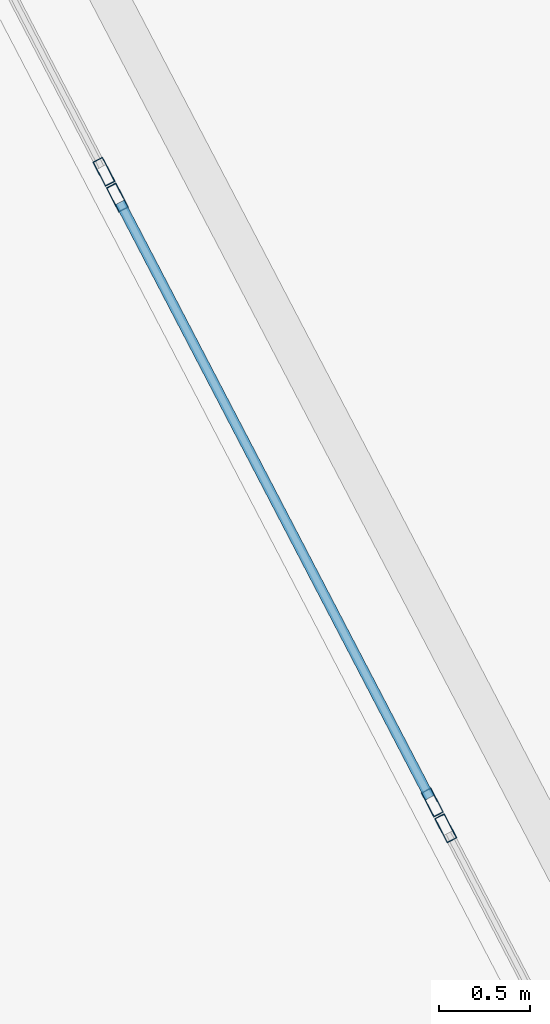
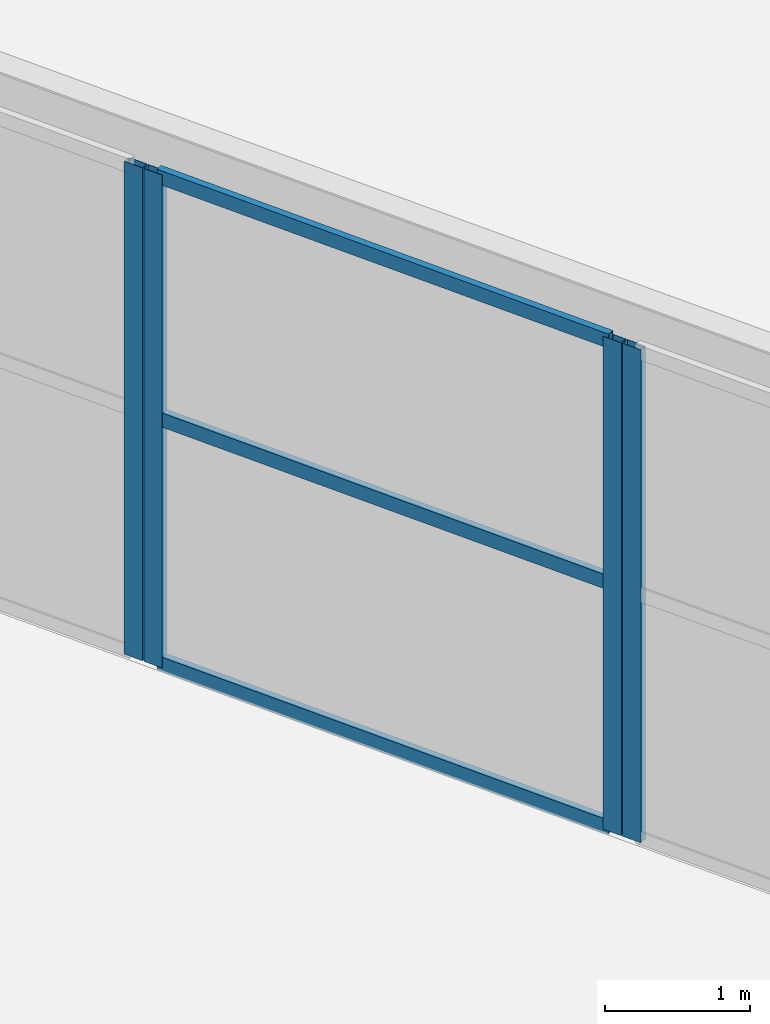
# One storey, part 25 of 126: 7 members, 3 elements without a shape of their own.
"""IFC4 building model written with IfcOpenShell, lengths in metres."""

from ifc_helpers import new_model, si_unit, direction, frame, origin, origin_2d, place, context, subcontext, project, spatial, hollow_rectangle, extrude, material, layer, layer_set, material_profile, profile_set, type_object, element, aggregate, save


model = new_model("IFC4")

# Units and contexts
model_context = context("Model", 3, precision=1e-05, world=origin(), true_north=direction((0.0, 1.0)))
body_context = subcontext(model_context, "Body", "Model", "MODEL_VIEW")
ifc_project = project(units=[si_unit("LENGTHUNIT", "METRE"), si_unit("AREAUNIT", "SQUARE_METRE"), si_unit("VOLUMEUNIT", "CUBIC_METRE"), si_unit("PLANEANGLEUNIT", "RADIAN"), si_unit("MASSUNIT", "GRAM", prefix="KILO")], contexts=[model_context])

# Site, building, storey
site_placement = place(None, origin())
site = spatial("IfcSite", under=ifc_project, at=site_placement, CompositionType="ELEMENT")
building_placement = place(site_placement, origin())
building = spatial("IfcBuilding", under=site, at=building_placement, Name="Kalgoora Escarpment Arena", CompositionType="ELEMENT")
storey_placement = place(building_placement, frame((0.0, 0.0, 18.89990234375)))
storey = spatial("IfcBuildingStorey", under=building, at=storey_placement, Name="L04", CompositionType="ELEMENT", Elevation=18.89990234375)

# Curtain wall, member
ifc_material_1 = material(Name=" Champagne anodised aluminium & double-glazed low-E", Category="aluminium")
ifc_layer_1 = layer(ifc_material_1, 0.154052734375)
ifc_layer_set_1 = layer_set([ifc_layer_1], Name="CW-UNIT-11")
curtain_wall_type_1 = type_object("IfcCurtainWallType", Name="CW-UNIT-11", PredefinedType="NOTDEFINED", material=ifc_layer_set_1)
curtain_wall_1_placement = place(storey_placement, origin())
curtain_wall_1 = element("IfcCurtainWall", 1, at=curtain_wall_1_placement, inside=storey, type_object=curtain_wall_type_1, Name="L04 unitised facade curtain wall 130", PredefinedType="NOTDEFINED")
ifc_material_2 = material(Name="Anodised aluminium 6063-T6", Category="aluminium")
ifc_material_profile_1 = material_profile(ifc_material_2, hollow_rectangle(XDim=0.06005859375, YDim=0.14990234375, WallThickness=0.00341796875, at=origin_2d()))
ifc_profile_set_1 = profile_set([ifc_material_profile_1], Name="Anodised aluminium 6063-T6")
member_type_1 = type_object("IfcMemberType", Name="MEM-CW-MULL-150", PredefinedType="MULLION", material=ifc_profile_set_1)
member_1_placement = place(storey_placement, frame((28.034912109375, 38.657470703125, 0.02001953125), z_axis=(0.0, 0.0, 1.0), x_axis=(-0.886986276427, -0.461795783252, 0.0)))
member_1 = element("IfcMember", 2, at=member_1_placement, type_object=member_type_1, Name="CW-11 mullion 2", PredefinedType="MULLION", context=body_context, shape_type="SweptSolid", body=[
    extrude(hollow_rectangle(XDim=0.06005859375, YDim=0.14990234375, WallThickness=0.00341796875, at=origin_2d()), origin(), (0.0, 0.0, 1.0), 4.150146484375),
])
aggregate(curtain_wall_1, [member_1])

# Curtain wall, members
ifc_material_3 = material(Name=" Champagne anodised aluminium & double-glazed low-E", Category="aluminium")
ifc_layer_2 = layer(ifc_material_3, 0.157958984375)
ifc_layer_set_2 = layer_set([ifc_layer_2], Name="CW-UNIT-12")
curtain_wall_type_2 = type_object("IfcCurtainWallType", Name="CW-UNIT-12", PredefinedType="NOTDEFINED", material=ifc_layer_set_2)
curtain_wall_2_placement = place(storey_placement, origin())
curtain_wall_2 = element("IfcCurtainWall", 3, at=curtain_wall_2_placement, inside=storey, type_object=curtain_wall_type_2, Name="L04 unitised facade curtain wall 131", PredefinedType="NOTDEFINED")
member_2_placement = place(storey_placement, frame((27.9609375, 38.79931640625, 0.02001953125), z_axis=(0.0, 0.0, 1.0), x_axis=(-0.886984539651, -0.46179911912, 0.0)))
member_2 = element("IfcMember", 4, at=member_2_placement, type_object=member_type_1, Name="CW-12 mullion 1", PredefinedType="MULLION", context=body_context, shape_type="SweptSolid", body=[
    extrude(hollow_rectangle(XDim=0.06005859375, YDim=0.14990234375, WallThickness=0.00341796875, at=origin_2d()), origin(), (0.0, 0.0, 1.0), 4.150146484375),
])
member_3_placement = place(storey_placement, frame((26.226806640625, 42.13037109375, 0.02001953125), z_axis=(0.0, 0.0, 1.0), x_axis=(-0.886984539651, -0.46179911912, 0.0)))
member_3 = element("IfcMember", 5, at=member_3_placement, type_object=member_type_1, Name="CW-12 mullion 2", PredefinedType="MULLION", context=body_context, shape_type="SweptSolid", body=[
    extrude(hollow_rectangle(XDim=0.06005859375, YDim=0.14990234375, WallThickness=0.00341796875, at=origin_2d()), origin(), (0.0, 0.0, 1.0), 4.150146484375),
])

# Curtain wall, member
ifc_material_4 = material(Name=" Champagne anodised aluminium & double-glazed low-E", Category="aluminium")
ifc_layer_3 = layer(ifc_material_4, 0.162109375)
ifc_layer_set_3 = layer_set([ifc_layer_3], Name="CW-UNIT-13")
curtain_wall_type_3 = type_object("IfcCurtainWallType", Name="CW-UNIT-13", PredefinedType="NOTDEFINED", material=ifc_layer_set_3)
curtain_wall_3_placement = place(storey_placement, origin())
curtain_wall_3 = element("IfcCurtainWall", 6, at=curtain_wall_3_placement, inside=storey, type_object=curtain_wall_type_3, Name="L04 unitised facade curtain wall 132", PredefinedType="NOTDEFINED")
member_4_placement = place(storey_placement, frame((26.15283203125, 42.2724609375, 0.02001953125), z_axis=(0.0, 0.0, 1.0), x_axis=(-0.886984539651, -0.46179911912, 0.0)))
member_4 = element("IfcMember", 7, at=member_4_placement, type_object=member_type_1, Name="CW-13 mullion 1", PredefinedType="MULLION", context=body_context, shape_type="SweptSolid", body=[
    extrude(hollow_rectangle(XDim=0.06005859375, YDim=0.14990234375, WallThickness=0.00341796875, at=origin_2d()), origin(), (0.0, 0.0, 1.0), 4.150146484375),
])
aggregate(curtain_wall_3, [member_4])

# Member
ifc_material_5 = material(Name="Anodised aluminium 6063-T6", Category="aluminium")
ifc_material_profile_2 = material_profile(ifc_material_5, hollow_rectangle(XDim=0.054931640625, YDim=0.1201171875, WallThickness=0.003173828125, at=origin_2d()))
ifc_profile_set_2 = profile_set([ifc_material_profile_2], Name="Anodised aluminium 6063-T6")
member_type_2 = type_object("IfcMemberType", Name="MEM-CW-TRAN-120", PredefinedType="USERDEFINED", material=ifc_profile_set_2)
member_5_placement = place(storey_placement, frame((27.947265625, 38.825927734375, 0.047607421875), z_axis=(-0.461793667035, 0.8869873782, 0.0), x_axis=(-0.8869873782, -0.461793667035, 0.0)))
member_5 = element("IfcMember", 8, at=member_5_placement, type_object=member_type_2, Name="CW-12 transom 1.1", ObjectType="TRANSOM", PredefinedType="USERDEFINED", context=body_context, shape_type="SweptSolid", body=[
    extrude(hollow_rectangle(XDim=0.054931640625, YDim=0.1201171875, WallThickness=0.003173828125, at=origin_2d()), origin(), (0.0, 0.0, 1.0), 3.695556640625),
])

member_6_placement = place(storey_placement, frame((27.947265625, 38.825927734375, 2.10498046875), z_axis=(-0.461793667035, 0.8869873782, 0.0), x_axis=(-0.8869873782, -0.461793667035, 0.0)))
member_6 = element("IfcMember", 9, at=member_6_placement, type_object=member_type_2, Name="CW-12 transom 1.2", ObjectType="TRANSOM", PredefinedType="USERDEFINED", context=body_context, shape_type="SweptSolid", body=[
    extrude(hollow_rectangle(XDim=0.054931640625, YDim=0.1201171875, WallThickness=0.003173828125, at=origin_2d()), origin(), (0.0, 0.0, 1.0), 3.695556640625),
])

member_7_placement = place(storey_placement, frame((27.947265625, 38.825927734375, 4.142578125), z_axis=(-0.461793667035, 0.8869873782, 0.0), x_axis=(-0.8869873782, -0.461793667035, 0.0)))
member_7 = element("IfcMember", 10, at=member_7_placement, type_object=member_type_2, Name="CW-12 transom 1.3", ObjectType="TRANSOM", PredefinedType="USERDEFINED", context=body_context, shape_type="SweptSolid", body=[
    extrude(hollow_rectangle(XDim=0.054931640625, YDim=0.1201171875, WallThickness=0.003173828125, at=origin_2d()), origin(), (0.0, 0.0, 1.0), 3.695556640625),
])

aggregate(curtain_wall_2, [member_2, member_3, member_5, member_6, member_7])

save(model, "model.ifc")
